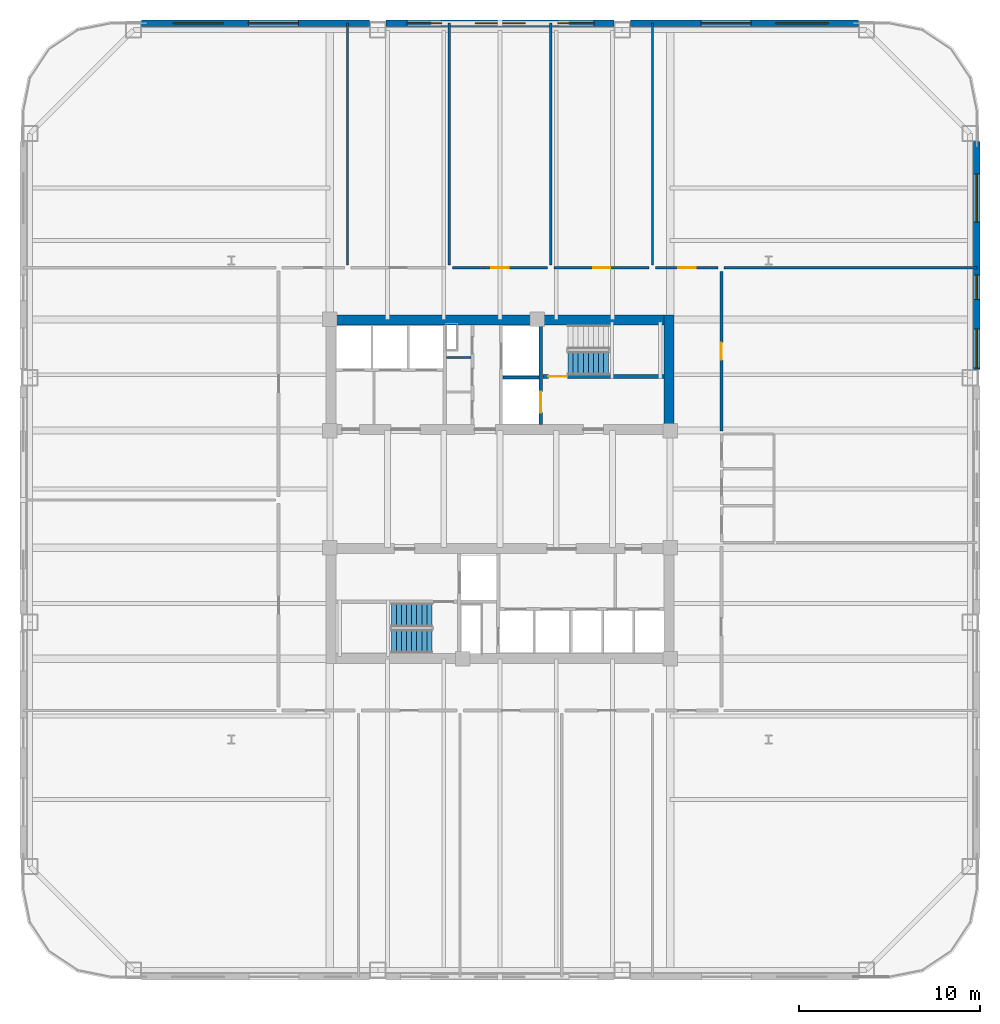
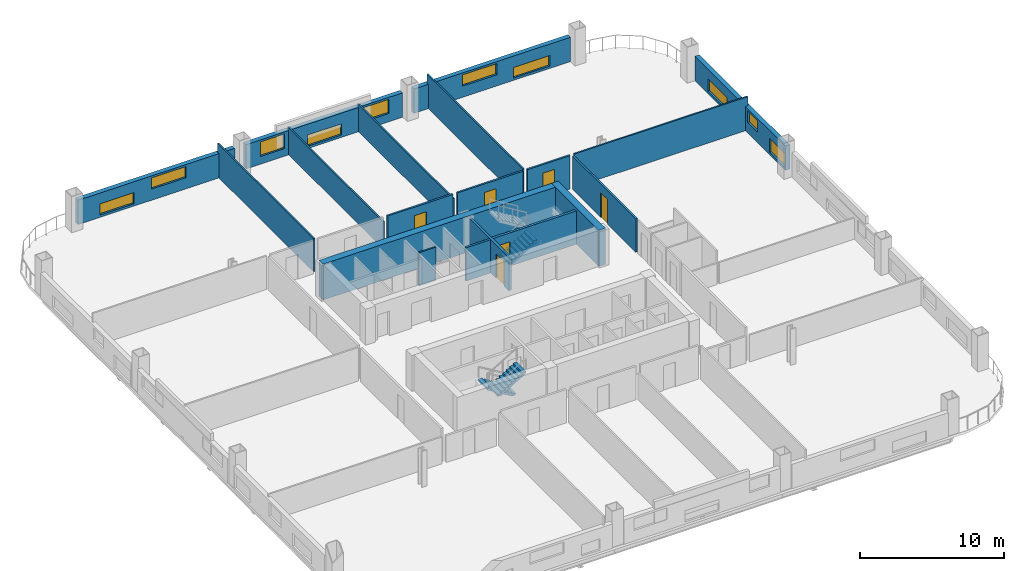
# One storey, part 5 of 12: 19 walls, 10 windows, 6 doors, 3 stair flights, 16 openings, 2 elements without a shape of their own.
"""IFC4 building model written with IfcOpenShell, lengths in metres."""

from ifc_helpers import new_model, si_unit, direction, frame, frame_2d, origin, place, context, subcontext, project, spatial, polyline, rectangle, outline, extrude, material, layer, layer_set, type_object, element, fill, aggregate, save


model = new_model("IFC4")

# Units and contexts
model_context = context("Model", 3, precision=1e-05, world=origin(), true_north=direction((0.0, 1.0)))
body_context = subcontext(model_context, "Body", "Model", "MODEL_VIEW")
ifc_project = project(units=[si_unit("LENGTHUNIT", "METRE"), si_unit("AREAUNIT", "SQUARE_METRE"), si_unit("VOLUMEUNIT", "CUBIC_METRE"), si_unit("PLANEANGLEUNIT", "RADIAN"), si_unit("MASSUNIT", "GRAM", prefix="KILO")], contexts=[model_context])

# Site, building, storey
site_placement = place(None, origin())
site = spatial("IfcSite", under=ifc_project, at=site_placement, CompositionType="ELEMENT")
building_placement = place(site_placement, origin())
building = spatial("IfcBuilding", under=site, at=building_placement, Name="Qhalaya Broadcast Tower", CompositionType="ELEMENT")
storey_placement = place(building_placement, frame((0.0, 0.0, 41.35009765625)))
storey = spatial("IfcBuildingStorey", under=building, at=storey_placement, Name="L11", CompositionType="ELEMENT", Elevation=41.35009765625)

# Wall, opening, door
ifc_material_1 = material(Name="Gypsum Acoustic Partition")
ifc_layer_1 = layer(ifc_material_1, 0.14990234375, Name="Gypsum Acoustic Partition")
ifc_layer_set_1 = layer_set([ifc_layer_1], Name="Gypsum Acoustic Partition")
wall_type_1 = type_object("IfcWallType", Name="Corridor & Tenancy Acoustic Partition 150", PredefinedType="PARTITIONING", material=ifc_layer_set_1)
wall_1_placement = place(storey_placement, frame((-2.6201171875, 12.800048828125, 0.0), z_axis=(0.0, 0.0, 1.0), x_axis=(1.0, 0.0, 0.0)))
wall_1 = element("IfcWall", 1, at=wall_1_placement, inside=storey, type_object=wall_type_1, Name="L11 Partition Wall W-COR-03", PredefinedType="PARTITIONING", context=body_context, shape_type="SweptSolid", body=[
    extrude(rectangle(XDim=5.240234375, YDim=0.14990234375, at=frame_2d((2.6201171875, 0.0))), origin(), (0.0, 0.0, 1.0), 2.829833984375),
])
opening_1_placement = place(wall_1_placement, frame((2.14501953125, 0.0, 0.0)))
opening_1 = element("IfcOpeningElement", 2, at=opening_1_placement, cuts=wall_1, Name="Opening D10", PredefinedType="OPENING", context=body_context, shape_type="SweptSolid", body=[
    extrude(rectangle(XDim=0.949951171875, YDim=2.10009765625, at=frame_2d((0.47509765625, 1.050048828125))), frame((0.0, 0.0869140625, 0.0), z_axis=(0.0, -1.0, 0.0), x_axis=(1.0, 0.0, 0.0)), (0.0, 0.0, 1.0), 0.173828125),
])
ifc_material_2 = material(Name="Timber Veneer Acoustic Door", Category="wood")
door_type_1 = type_object("IfcDoorType", Name="Cellular Office & Edit Booth Door D10", OperationType="NOTDEFINED", PredefinedType="DOOR", material=ifc_material_2)
door_1_placement = place(opening_1_placement, origin())
door_1 = element("IfcDoor", 3, at=door_1_placement, inside=storey, type_object=door_type_1, Name="L11 Door D-RM03", OperationType="SINGLE_SWING_LEFT", OverallHeight=2.10009765625, OverallWidth=0.949951171875, PredefinedType="DOOR", context=body_context, shape_type="SweptSolid", body=[
    extrude(rectangle(XDim=0.949951171875, YDim=2.10009765625, at=frame_2d((0.47509765625, 1.050048828125))), frame((0.0, 0.02490234375, 0.0), z_axis=(0.0, -1.0, 0.0), x_axis=(1.0, 0.0, 0.0)), (0.0, 0.0, 1.0), 0.050048828125),
])
fill(opening_1, door_1)

wall_2_placement = place(storey_placement, frame((2.97998046875, 12.800048828125, 0.0), z_axis=(0.0, 0.0, 1.0), x_axis=(1.0, 0.0, 0.0)))
wall_2 = element("IfcWall", 4, at=wall_2_placement, inside=storey, type_object=wall_type_1, Name="L11 Partition Wall W-COR-04", PredefinedType="PARTITIONING", context=body_context, shape_type="SweptSolid", body=[
    extrude(rectangle(XDim=5.239990234375, YDim=0.14990234375, at=frame_2d((2.6201171875, 0.0))), origin(), (0.0, 0.0, 1.0), 2.829833984375),
])
opening_2_placement = place(wall_2_placement, frame((2.14501953125, 0.0, 0.0)))
opening_2 = element("IfcOpeningElement", 5, at=opening_2_placement, cuts=wall_2, Name="Opening D10", PredefinedType="OPENING", context=body_context, shape_type="SweptSolid", body=[
    extrude(rectangle(XDim=0.949951171875, YDim=2.10009765625, at=frame_2d((0.47509765625, 1.050048828125))), frame((0.0, 0.0869140625, 0.0), z_axis=(0.0, -1.0, 0.0), x_axis=(1.0, 0.0, 0.0)), (0.0, 0.0, 1.0), 0.173828125),
])
door_2_placement = place(opening_2_placement, origin())
door_2 = element("IfcDoor", 6, at=door_2_placement, inside=storey, type_object=door_type_1, Name="L11 Door D-RM04", OperationType="SINGLE_SWING_RIGHT", OverallHeight=2.10009765625, OverallWidth=0.949951171875, PredefinedType="DOOR", context=body_context, shape_type="SweptSolid", body=[
    extrude(rectangle(XDim=0.949951171875, YDim=2.10009765625, at=frame_2d((0.47509765625, 1.050048828125))), frame((0.0, 0.02490234375, 0.0), z_axis=(0.0, -1.0, 0.0), x_axis=(1.0, 0.0, 0.0)), (0.0, 0.0, 1.0), 0.050048828125),
])
fill(opening_2, door_2)

wall_3_placement = place(storey_placement, frame((8.580078125, 12.800048828125, 0.0), z_axis=(0.0, 0.0, 1.0), x_axis=(1.0, 0.0, 0.0)))
wall_3 = element("IfcWall", 7, at=wall_3_placement, inside=storey, type_object=wall_type_1, Name="L11 Partition Wall W-COR-05", PredefinedType="PARTITIONING", context=body_context, shape_type="SweptSolid", body=[
    extrude(rectangle(XDim=3.43994140625, YDim=0.14990234375, at=frame_2d((1.719970703125, 0.0))), origin(), (0.0, 0.0, 1.0), 2.829833984375),
])
opening_3_placement = place(wall_3_placement, frame((1.2451171875, 0.0, 0.0)))
opening_3 = element("IfcOpeningElement", 8, at=opening_3_placement, cuts=wall_3, Name="Opening D10", PredefinedType="OPENING", context=body_context, shape_type="SweptSolid", body=[
    extrude(rectangle(XDim=0.949951171875, YDim=2.10009765625, at=frame_2d((0.47509765625, 1.050048828125))), frame((0.0, 0.0869140625, 0.0), z_axis=(0.0, -1.0, 0.0), x_axis=(1.0, 0.0, 0.0)), (0.0, 0.0, 1.0), 0.173828125),
])
door_3_placement = place(opening_3_placement, origin())
door_3 = element("IfcDoor", 9, at=door_3_placement, inside=storey, type_object=door_type_1, Name="L11 Door D-RM05", OperationType="SINGLE_SWING_LEFT", OverallHeight=2.10009765625, OverallWidth=0.949951171875, PredefinedType="DOOR", context=body_context, shape_type="SweptSolid", body=[
    extrude(rectangle(XDim=0.949951171875, YDim=2.10009765625, at=frame_2d((0.47509765625, 1.050048828125))), frame((0.0, 0.02490234375, 0.0), z_axis=(0.0, -1.0, 0.0), x_axis=(1.0, 0.0, 0.0)), (0.0, 0.0, 1.0), 0.050048828125),
])
fill(opening_3, door_3)

wall_4_placement = place(storey_placement, frame((12.199951171875, 3.800048828125, 0.0), z_axis=(0.0, 0.0, 1.0), x_axis=(0.0, 1.0, 0.0)))
wall_4 = element("IfcWall", 10, at=wall_4_placement, inside=storey, type_object=wall_type_1, Name="L11 Partition Wall W-COR-14", PredefinedType="PARTITIONING", context=body_context, shape_type="SweptSolid", body=[
    extrude(rectangle(XDim=8.800048828125, YDim=0.14990234375, at=frame_2d((4.39990234375, 0.0))), origin(), (0.0, 0.0, 1.0), 2.829833984375),
])
opening_4_placement = place(wall_4_placement, frame((3.925048828125, 0.0, 0.0)))
opening_4 = element("IfcOpeningElement", 11, at=opening_4_placement, cuts=wall_4, Name="Opening D10", PredefinedType="OPENING", context=body_context, shape_type="SweptSolid", body=[
    extrude(rectangle(XDim=0.949951171875, YDim=2.10009765625, at=frame_2d((0.47509765625, 1.050048828125))), frame((0.0, 0.0869140625, 0.0), z_axis=(0.0, -1.0, 0.0), x_axis=(1.0, 0.0, 0.0)), (0.0, 0.0, 1.0), 0.173828125),
])
door_4_placement = place(opening_4_placement, origin())
door_4 = element("IfcDoor", 12, at=door_4_placement, inside=storey, type_object=door_type_1, Name="L11 Door D-RM14", OperationType="SINGLE_SWING_RIGHT", OverallHeight=2.10009765625, OverallWidth=0.949951171875, PredefinedType="DOOR", context=body_context, shape_type="SweptSolid", body=[
    extrude(rectangle(XDim=0.949951171875, YDim=2.10009765625, at=frame_2d((0.47509765625, 1.050048828125))), frame((0.0, 0.02490234375, 0.0), z_axis=(0.0, -1.0, 0.0), x_axis=(1.0, 0.0, 0.0)), (0.0, 0.0, 1.0), 0.050048828125),
])
fill(opening_4, door_4)

# Wall, openings, windows
ifc_material_3 = material(Name="Precast Concrete C40/50", Category="concrete")
ifc_layer_2 = layer(ifc_material_3, 0.360107421875, Name="Precast Concrete C40/50")
ifc_layer_set_2 = layer_set([ifc_layer_2], Name="Precast Concrete C40/50")
wall_type_2 = type_object("IfcWallType", Name="Insulated Precast Terracotta Exterior Wall 360", PredefinedType="SOLIDWALL", material=ifc_layer_set_2)
wall_5_placement = place(storey_placement, frame((26.260009765625, 19.761962890625, 0.0), z_axis=(0.0, 0.0, 1.0), x_axis=(0.0, -1.0, 0.0)))
wall_5 = element("IfcWall", 13, at=wall_5_placement, inside=storey, type_object=wall_type_2, Name="L11 Exoskeleton Diagrid Infill Wall E1", PredefinedType="SOLIDWALL", context=body_context, shape_type="SweptSolid", body=[
    extrude(rectangle(XDim=12.57861328125, YDim=0.360107421875, at=frame_2d((6.289306640625, 0.0))), origin(), (0.0, 0.0, 1.0), 2.06689453125),
])
opening_5_placement = place(wall_5_placement, frame((1.800048828125, 0.0, 0.199951171875)))
opening_5 = element("IfcOpeningElement", 14, at=opening_5_placement, cuts=wall_5, Name="Opening W11", PredefinedType="OPENING", context=body_context, shape_type="SweptSolid", body=[
    extrude(rectangle(XDim=2.64990234375, YDim=1.050048828125, at=frame_2d((1.324951171875, 0.52490234375))), frame((0.0, 0.192138671875, 0.0), z_axis=(0.0, -1.0, 0.0), x_axis=(1.0, 0.0, 0.0)), (0.0, 0.0, 1.0), 0.384033203125),
])
opening_6_placement = place(wall_5_placement, frame((7.35009765625, 0.0, 0.89990234375)))
opening_6 = element("IfcOpeningElement", 15, at=opening_6_placement, cuts=wall_5, Name="Opening W11", PredefinedType="OPENING", context=body_context, shape_type="SweptSolid", body=[
    extrude(rectangle(XDim=1.35009765625, YDim=1.0, at=frame_2d((0.675048828125, 0.5))), frame((0.0, 0.192138671875, 0.0), z_axis=(0.0, -1.0, 0.0), x_axis=(1.0, 0.0, 0.0)), (0.0, 0.0, 1.0), 0.384033203125),
])
opening_7_placement = place(wall_5_placement, frame((10.35009765625, 0.0, 0.199951171875)))
opening_7 = element("IfcOpeningElement", 16, at=opening_7_placement, cuts=wall_5, Name="Opening W11", PredefinedType="OPENING", context=body_context, shape_type="SweptSolid", body=[
    extrude(rectangle(XDim=2.14990234375, YDim=1.199951171875, at=frame_2d((1.074951171875, 0.60009765625))), frame((0.0, 0.192138671875, 0.0), z_axis=(0.0, -1.0, 0.0), x_axis=(1.0, 0.0, 0.0)), (0.0, 0.0, 1.0), 0.384033203125),
])
ifc_material_4 = material(Name="Solar-Control Low-E Triple Glazing", Category="glass")
window_type = type_object("IfcWindowType", Name="Odd-Block Diagrid Infill Window W11", PartitioningType="SINGLE_PANEL", PredefinedType="WINDOW", material=ifc_material_4)
window_1_placement = place(opening_5_placement, origin())
window_1 = element("IfcWindow", 17, at=window_1_placement, inside=storey, type_object=window_type, Name="L11 Diagrid Infill Window W11-E1", OverallHeight=1.050048828125, OverallWidth=2.64990234375, PartitioningType="SINGLE_PANEL", PredefinedType="WINDOW", context=body_context, shape_type="SweptSolid", body=[
    extrude(rectangle(XDim=2.64990234375, YDim=1.050048828125, at=frame_2d((1.324951171875, 0.52490234375))), frame((0.0, 0.030029296875, 0.0), z_axis=(0.0, -1.0, 0.0), x_axis=(1.0, 0.0, 0.0)), (0.0, 0.0, 1.0), 0.06005859375),
])
fill(opening_5, window_1)
window_2_placement = place(opening_6_placement, origin())
window_2 = element("IfcWindow", 18, at=window_2_placement, inside=storey, type_object=window_type, Name="L11 Diagrid Infill Window W11-E2", OverallHeight=1.0, OverallWidth=1.35009765625, PartitioningType="SINGLE_PANEL", PredefinedType="WINDOW", context=body_context, shape_type="SweptSolid", body=[
    extrude(rectangle(XDim=1.35009765625, YDim=1.0, at=frame_2d((0.675048828125, 0.5))), frame((0.0, 0.030029296875, 0.0), z_axis=(0.0, -1.0, 0.0), x_axis=(1.0, 0.0, 0.0)), (0.0, 0.0, 1.0), 0.06005859375),
])
fill(opening_6, window_2)
window_3_placement = place(opening_7_placement, origin())
window_3 = element("IfcWindow", 19, at=window_3_placement, inside=storey, type_object=window_type, Name="L11 Diagrid Infill Window W11-E3", OverallHeight=1.199951171875, OverallWidth=2.14990234375, PartitioningType="SINGLE_PANEL", PredefinedType="WINDOW", context=body_context, shape_type="SweptSolid", body=[
    extrude(rectangle(XDim=2.14990234375, YDim=1.199951171875, at=frame_2d((1.074951171875, 0.60009765625))), frame((0.0, 0.030029296875, 0.0), z_axis=(0.0, -1.0, 0.0), x_axis=(1.0, 0.0, 0.0)), (0.0, 0.0, 1.0), 0.06005859375),
])
fill(opening_7, window_3)

wall_6_placement = place(storey_placement, frame((-19.761962890625, 26.260009765625, 0.0), z_axis=(0.0, 0.0, 1.0), x_axis=(1.0, 0.0, 0.0)))
wall_6 = element("IfcWall", 20, at=wall_6_placement, inside=storey, type_object=wall_type_2, Name="L11 Exoskeleton Diagrid Infill Wall N1", PredefinedType="SOLIDWALL", context=body_context, shape_type="SweptSolid", body=[
    extrude(rectangle(XDim=12.57861328125, YDim=0.360107421875, at=frame_2d((6.289306640625, 0.0))), origin(), (0.0, 0.0, 1.0), 2.06689453125),
])
opening_8_placement = place(wall_6_placement, frame((1.75, 0.0, 0.199951171875)))
opening_8 = element("IfcOpeningElement", 21, at=opening_8_placement, cuts=wall_6, Name="Opening W11", PredefinedType="OPENING", context=body_context, shape_type="SweptSolid", body=[
    extrude(rectangle(XDim=2.75, YDim=0.949951171875, at=frame_2d((1.375, 0.47509765625))), frame((0.0, 0.192138671875, 0.0), z_axis=(0.0, -1.0, 0.0), x_axis=(1.0, 0.0, 0.0)), (0.0, 0.0, 1.0), 0.384033203125),
])
opening_9_placement = place(wall_6_placement, frame((5.89990234375, 0.0, 0.949951171875)))
opening_9 = element("IfcOpeningElement", 22, at=opening_9_placement, cuts=wall_6, Name="Opening W11", PredefinedType="OPENING", context=body_context, shape_type="SweptSolid", body=[
    extrude(rectangle(XDim=2.75, YDim=0.949951171875, at=frame_2d((1.375, 0.47509765625))), frame((0.0, 0.192138671875, 0.0), z_axis=(0.0, -1.0, 0.0), x_axis=(1.0, 0.0, 0.0)), (0.0, 0.0, 1.0), 0.384033203125),
])
window_4_placement = place(opening_8_placement, origin())
window_4 = element("IfcWindow", 23, at=window_4_placement, inside=storey, type_object=window_type, Name="L11 Diagrid Infill Window W11-N1", OverallHeight=0.949951171875, OverallWidth=2.75, PartitioningType="SINGLE_PANEL", PredefinedType="WINDOW", context=body_context, shape_type="SweptSolid", body=[
    extrude(rectangle(XDim=2.75, YDim=0.949951171875, at=frame_2d((1.375, 0.47509765625))), frame((0.0, 0.030029296875, 0.0), z_axis=(0.0, -1.0, 0.0), x_axis=(1.0, 0.0, 0.0)), (0.0, 0.0, 1.0), 0.06005859375),
])
fill(opening_8, window_4)
window_5_placement = place(opening_9_placement, origin())
window_5 = element("IfcWindow", 24, at=window_5_placement, inside=storey, type_object=window_type, Name="L11 Diagrid Infill Window W11-N2", OverallHeight=0.949951171875, OverallWidth=2.75, PartitioningType="SINGLE_PANEL", PredefinedType="WINDOW", context=body_context, shape_type="SweptSolid", body=[
    extrude(rectangle(XDim=2.75, YDim=0.949951171875, at=frame_2d((1.375, 0.47509765625))), frame((0.0, 0.030029296875, 0.0), z_axis=(0.0, -1.0, 0.0), x_axis=(1.0, 0.0, 0.0)), (0.0, 0.0, 1.0), 0.06005859375),
])
fill(opening_9, window_5)

wall_7_placement = place(storey_placement, frame((-6.283203125, 26.260009765625, 0.0), z_axis=(0.0, 0.0, 1.0), x_axis=(1.0, 0.0, 0.0)))
wall_7 = element("IfcWall", 25, at=wall_7_placement, inside=storey, type_object=wall_type_2, Name="L11 Exoskeleton Diagrid Infill Wall N2", PredefinedType="SOLIDWALL", context=body_context, shape_type="SweptSolid", body=[
    extrude(rectangle(XDim=12.56640625, YDim=0.360107421875, at=frame_2d((6.283203125, 0.0))), origin(), (0.0, 0.0, 1.0), 2.06689453125),
])
opening_10_placement = place(wall_7_placement, frame((1.1708984375, 0.0, 0.64990234375)))
opening_10 = element("IfcOpeningElement", 26, at=opening_10_placement, cuts=wall_7, Name="Opening W11", PredefinedType="OPENING", context=body_context, shape_type="SweptSolid", body=[
    extrude(rectangle(XDim=1.89990234375, YDim=1.25, at=frame_2d((0.949951171875, 0.625))), frame((0.0, 0.192138671875, 0.0), z_axis=(0.0, -1.0, 0.0), x_axis=(1.0, 0.0, 0.0)), (0.0, 0.0, 1.0), 0.384033203125),
])
opening_11_placement = place(wall_7_placement, frame((4.9208984375, 0.0, 0.199951171875)))
opening_11 = element("IfcOpeningElement", 27, at=opening_11_placement, cuts=wall_7, Name="Opening W11", PredefinedType="OPENING", context=body_context, shape_type="SweptSolid", body=[
    extrude(rectangle(XDim=2.75, YDim=0.949951171875, at=frame_2d((1.375, 0.47509765625))), frame((0.0, 0.192138671875, 0.0), z_axis=(0.0, -1.0, 0.0), x_axis=(1.0, 0.0, 0.0)), (0.0, 0.0, 1.0), 0.384033203125),
])
opening_12_placement = place(wall_7_placement, frame((9.470947265625, 0.0, 0.699951171875)))
opening_12 = element("IfcOpeningElement", 28, at=opening_12_placement, cuts=wall_7, Name="Opening W11", PredefinedType="OPENING", context=body_context, shape_type="SweptSolid", body=[
    extrude(rectangle(XDim=2.0, YDim=1.199951171875, at=frame_2d((1.0, 0.60009765625))), frame((0.0, 0.192138671875, 0.0), z_axis=(0.0, -1.0, 0.0), x_axis=(1.0, 0.0, 0.0)), (0.0, 0.0, 1.0), 0.384033203125),
])
window_6_placement = place(opening_10_placement, origin())
window_6 = element("IfcWindow", 29, at=window_6_placement, inside=storey, type_object=window_type, Name="L11 Diagrid Infill Window W11-N3", OverallHeight=1.25, OverallWidth=1.89990234375, PartitioningType="SINGLE_PANEL", PredefinedType="WINDOW", context=body_context, shape_type="SweptSolid", body=[
    extrude(rectangle(XDim=1.89990234375, YDim=1.25, at=frame_2d((0.949951171875, 0.625))), frame((0.0, 0.030029296875, 0.0), z_axis=(0.0, -1.0, 0.0), x_axis=(1.0, 0.0, 0.0)), (0.0, 0.0, 1.0), 0.06005859375),
])
fill(opening_10, window_6)
window_7_placement = place(opening_11_placement, origin())
window_7 = element("IfcWindow", 30, at=window_7_placement, inside=storey, type_object=window_type, Name="L11 Diagrid Infill Window W11-N4", OverallHeight=0.949951171875, OverallWidth=2.75, PartitioningType="SINGLE_PANEL", PredefinedType="WINDOW", context=body_context, shape_type="SweptSolid", body=[
    extrude(rectangle(XDim=2.75, YDim=0.949951171875, at=frame_2d((1.375, 0.47509765625))), frame((0.0, 0.030029296875, 0.0), z_axis=(0.0, -1.0, 0.0), x_axis=(1.0, 0.0, 0.0)), (0.0, 0.0, 1.0), 0.06005859375),
])
fill(opening_11, window_7)
window_8_placement = place(opening_12_placement, origin())
window_8 = element("IfcWindow", 31, at=window_8_placement, inside=storey, type_object=window_type, Name="L11 Diagrid Infill Window W11-N5", OverallHeight=1.199951171875, OverallWidth=2.0, PartitioningType="SINGLE_PANEL", PredefinedType="WINDOW", context=body_context, shape_type="SweptSolid", body=[
    extrude(rectangle(XDim=2.0, YDim=1.199951171875, at=frame_2d((1.0, 0.60009765625))), frame((0.0, 0.030029296875, 0.0), z_axis=(0.0, -1.0, 0.0), x_axis=(1.0, 0.0, 0.0)), (0.0, 0.0, 1.0), 0.06005859375),
])
fill(opening_12, window_8)

wall_8_placement = place(storey_placement, frame((7.183349609375, 26.260009765625, 0.0), z_axis=(0.0, 0.0, 1.0), x_axis=(1.0, 0.0, 0.0)))
wall_8 = element("IfcWall", 32, at=wall_8_placement, inside=storey, type_object=wall_type_2, Name="L11 Exoskeleton Diagrid Infill Wall N3", PredefinedType="SOLIDWALL", context=body_context, shape_type="SweptSolid", body=[
    extrude(rectangle(XDim=12.57861328125, YDim=0.360107421875, at=frame_2d((6.289306640625, 0.0))), origin(), (0.0, 0.0, 1.0), 2.06689453125),
])
opening_13_placement = place(wall_8_placement, frame((3.905029296875, 0.0, 0.949951171875)))
opening_13 = element("IfcOpeningElement", 33, at=opening_13_placement, cuts=wall_8, Name="Opening W11", PredefinedType="OPENING", context=body_context, shape_type="SweptSolid", body=[
    extrude(rectangle(XDim=2.75, YDim=0.949951171875, at=frame_2d((1.375, 0.47509765625))), frame((0.0, 0.192138671875, 0.0), z_axis=(0.0, -1.0, 0.0), x_axis=(1.0, 0.0, 0.0)), (0.0, 0.0, 1.0), 0.384033203125),
])
opening_14_placement = place(wall_8_placement, frame((8.0048828125, 0.0, 0.199951171875)))
opening_14 = element("IfcOpeningElement", 34, at=opening_14_placement, cuts=wall_8, Name="Opening W11", PredefinedType="OPENING", context=body_context, shape_type="SweptSolid", body=[
    extrude(rectangle(XDim=2.89990234375, YDim=0.89990234375, at=frame_2d((1.449951171875, 0.449951171875))), frame((0.0, 0.192138671875, 0.0), z_axis=(0.0, -1.0, 0.0), x_axis=(1.0, 0.0, 0.0)), (0.0, 0.0, 1.0), 0.384033203125),
])
window_9_placement = place(opening_13_placement, origin())
window_9 = element("IfcWindow", 35, at=window_9_placement, inside=storey, type_object=window_type, Name="L11 Diagrid Infill Window W11-N6", OverallHeight=0.949951171875, OverallWidth=2.75, PartitioningType="SINGLE_PANEL", PredefinedType="WINDOW", context=body_context, shape_type="SweptSolid", body=[
    extrude(rectangle(XDim=2.75, YDim=0.949951171875, at=frame_2d((1.375, 0.47509765625))), frame((0.0, 0.030029296875, 0.0), z_axis=(0.0, -1.0, 0.0), x_axis=(1.0, 0.0, 0.0)), (0.0, 0.0, 1.0), 0.06005859375),
])
fill(opening_13, window_9)
window_10_placement = place(opening_14_placement, origin())
window_10 = element("IfcWindow", 36, at=window_10_placement, inside=storey, type_object=window_type, Name="L11 Diagrid Infill Window W11-N7", OverallHeight=0.89990234375, OverallWidth=2.89990234375, PartitioningType="SINGLE_PANEL", PredefinedType="WINDOW", context=body_context, shape_type="SweptSolid", body=[
    extrude(rectangle(XDim=2.89990234375, YDim=0.89990234375, at=frame_2d((1.449951171875, 0.449951171875))), frame((0.0, 0.030029296875, 0.0), z_axis=(0.0, -1.0, 0.0), x_axis=(1.0, 0.0, 0.0)), (0.0, 0.0, 1.0), 0.06005859375),
])
fill(opening_14, window_10)

# Wall, opening, door
ifc_material_5 = material(Name="Concrete C50/60", Category="concrete")
ifc_layer_3 = layer(ifc_material_5, 0.199951171875, Name="Concrete C50/60")
ifc_layer_set_3 = layer_set([ifc_layer_3], Name="Concrete C50/60")
wall_type_3 = type_object("IfcWallType", Name="Load-Bearing Stair Shaft Wall 200", PredefinedType="SHEAR", material=ifc_layer_set_3)
wall_9_placement = place(storey_placement, frame((2.360107421875, 6.804931640625, 0.0), z_axis=(0.0, 0.0, 1.0), x_axis=(1.0, 0.0, 0.0)))
wall_9 = element("IfcWall", 37, at=wall_9_placement, inside=storey, type_object=wall_type_3, Name="L11 Stair Core Shear Wall NCW-ST1", PredefinedType="SHEAR", context=body_context, shape_type="SweptSolid", body=[
    extrude(rectangle(XDim=6.669921875, YDim=0.199951171875, at=frame_2d((3.3349609375, 0.0))), origin(), (0.0, 0.0, 1.0), 2.829833984375),
])
opening_15_placement = place(wall_9_placement, frame((0.300048828125, 0.0, 0.0)))
opening_15 = element("IfcOpeningElement", 38, at=opening_15_placement, cuts=wall_9, Name="Opening D03", PredefinedType="OPENING", context=body_context, shape_type="SweptSolid", body=[
    extrude(rectangle(XDim=1.050048828125, YDim=2.080078125, at=frame_2d((0.52490234375, 1.0400390625))), frame((0.0, 0.112060546875, 0.0), z_axis=(0.0, -1.0, 0.0), x_axis=(1.0, 0.0, 0.0)), (0.0, 0.0, 1.0), 0.223876953125),
])
ifc_material_6 = material(Name="Fire-Rated Steel Door", Category="steel")
door_type_2 = type_object("IfcDoorType", Name="Core Stair Protected Fire Door D03", OperationType="NOTDEFINED", PredefinedType="DOOR", material=ifc_material_6)
door_5_placement = place(opening_15_placement, origin())
door_5 = element("IfcDoor", 39, at=door_5_placement, inside=storey, type_object=door_type_2, Name="L11 Door D-NST1", OperationType="SINGLE_SWING_LEFT", OverallHeight=2.080078125, OverallWidth=1.050048828125, PredefinedType="DOOR", context=body_context, shape_type="SweptSolid", body=[
    extrude(rectangle(XDim=1.050048828125, YDim=2.080078125, at=frame_2d((0.52490234375, 1.0400390625))), frame((0.0, 0.02490234375, 0.0), z_axis=(0.0, -1.0, 0.0), x_axis=(1.0, 0.0, 0.0)), (0.0, 0.0, 1.0), 0.050048828125),
])
fill(opening_15, door_5)

wall_10_placement = place(storey_placement, frame((2.25, 4.169921875, 0.0), z_axis=(0.0, 0.0, 1.0), x_axis=(0.0, 1.0, 0.0)))
wall_10 = element("IfcWall", 40, at=wall_10_placement, inside=storey, type_object=wall_type_3, Name="L11 Stair Core Shear Wall NCW-FF", PredefinedType="SHEAR", context=body_context, shape_type="SweptSolid", body=[
    extrude(rectangle(XDim=5.4599609375, YDim=0.199951171875, at=frame_2d((2.72998046875, 0.0))), origin(), (0.0, 0.0, 1.0), 2.829833984375),
])
opening_16_placement = place(wall_10_placement, frame((0.64990234375, 0.0, 0.0)))
opening_16 = element("IfcOpeningElement", 41, at=opening_16_placement, cuts=wall_10, Name="Opening LD2", PredefinedType="OPENING", context=body_context, shape_type="SweptSolid", body=[
    extrude(rectangle(XDim=1.14990234375, YDim=2.080078125, at=frame_2d((0.574951171875, 1.0400390625))), frame((0.0, 0.112060546875, 0.0), z_axis=(0.0, -1.0, 0.0), x_axis=(1.0, 0.0, 0.0)), (0.0, 0.0, 1.0), 0.223876953125),
])
ifc_material_7 = material(Name="Brushed Stainless Steel Lift Door", Category="steel")
door_type_3 = type_object("IfcDoorType", Name="Firefighting Lift Sliding Landing Door LD2", OperationType="DOUBLE_DOOR_SLIDING", PredefinedType="DOOR", material=ifc_material_7)
door_6_placement = place(opening_16_placement, origin())
door_6 = element("IfcDoor", 42, at=door_6_placement, inside=storey, type_object=door_type_3, Name="L11 Door LD-FF1", OperationType="DOUBLE_DOOR_SLIDING", OverallHeight=2.080078125, OverallWidth=1.14990234375, PredefinedType="DOOR", context=body_context, shape_type="SweptSolid", body=[
    extrude(rectangle(XDim=1.14990234375, YDim=2.080078125, at=frame_2d((0.574951171875, 1.0400390625))), frame((0.0, 0.02490234375, 0.0), z_axis=(0.0, -1.0, 0.0), x_axis=(1.0, 0.0, 0.0)), (0.0, 0.0, 1.0), 0.050048828125),
])
fill(opening_16, door_6)

# Walls
ifc_material_8 = material(Name="Concrete C60/75", Category="concrete")
ifc_layer_4 = layer(ifc_material_8, 0.550048828125, Name="Concrete C60/75")
ifc_layer_set_4 = layer_set([ifc_layer_4], Name="Concrete C60/75")
wall_type_4 = type_object("IfcWallType", Name="Lower Split-Core Shear Wall 550", PredefinedType="SHEAR", material=ifc_layer_set_4)
wall_11_placement = place(storey_placement, frame((-9.60009765625, 9.925048828125, 0.0), z_axis=(0.0, 0.0, 1.0), x_axis=(1.0, 0.0, 0.0)))
element("IfcWall", 43, at=wall_11_placement, inside=storey, type_object=wall_type_4, Name="L11 Split-Core Shear Wall CW-NN", PredefinedType="SHEAR", context=body_context, shape_type="SweptSolid", body=[
    extrude(rectangle(XDim=19.2001953125, YDim=0.550048828125, at=frame_2d((9.60009765625, 0.0))), origin(), (0.0, 0.0, 1.0), 3.0498046875),
])
wall_12_placement = place(storey_placement, frame((9.324951171875, 3.60009765625, 0.0), z_axis=(0.0, 0.0, 1.0), x_axis=(0.0, 1.0, 0.0)))
element("IfcWall", 44, at=wall_12_placement, inside=storey, type_object=wall_type_4, Name="L11 Split-Core Shear Wall CW-NE", PredefinedType="SHEAR", context=body_context, shape_type="SweptSolid", body=[
    extrude(rectangle(XDim=6.599853515625, YDim=0.550048828125, at=frame_2d((3.2998046875, 0.0))), origin(), (0.0, 0.0, 1.0), 3.0498046875),
])
ifc_layer_5 = layer(ifc_material_1, 0.1201171875, Name="Gypsum Acoustic Partition")
ifc_layer_set_5 = layer_set([ifc_layer_5], Name="Gypsum Acoustic Partition")
wall_type_5 = type_object("IfcWallType", Name="Office, Booth & Sanitary Partition 120", PredefinedType="PARTITIONING", material=ifc_layer_set_5)
wall_13_placement = place(storey_placement, frame((-2.9599609375, 7.85009765625, 0.0), z_axis=(0.0, 0.0, 1.0), x_axis=(1.0, 0.0, 0.0)))
element("IfcWall", 45, at=wall_13_placement, inside=storey, type_object=wall_type_5, Name="L11 Partition Wall NCW-VB2", PredefinedType="PARTITIONING", context=body_context, shape_type="SweptSolid", body=[
    extrude(rectangle(XDim=1.35986328125, YDim=0.1201171875, at=frame_2d((0.679931640625, 0.0))), origin(), (0.0, 0.0, 1.0), 2.829833984375),
])
wall_14_placement = place(storey_placement, frame((12.340087890625, 12.800048828125, 0.0), z_axis=(0.0, 0.0, 1.0), x_axis=(1.0, 0.0, 0.0)))
element("IfcWall", 46, at=wall_14_placement, inside=storey, type_object=wall_type_5, Name="L11 Partition Wall W-BNDE1", PredefinedType="PARTITIONING", context=body_context, shape_type="SweptSolid", body=[
    extrude(rectangle(XDim=13.93994140625, YDim=0.1201171875, at=frame_2d((6.969970703125, 0.0))), origin(), (0.0, 0.0, 1.0), 2.829833984375),
])
wall_15_placement = place(storey_placement, frame((-8.39990234375, 12.9599609375, 0.0), z_axis=(0.0, 0.0, 1.0), x_axis=(0.0, 1.0, 0.0)))
element("IfcWall", 47, at=wall_15_placement, inside=storey, type_object=wall_type_5, Name="L11 Partition Wall W-DIVN1", PredefinedType="PARTITIONING", context=body_context, shape_type="SweptSolid", body=[
    extrude(rectangle(XDim=13.320068359375, YDim=0.1201171875, at=frame_2d((6.66015625, 0.0))), origin(), (0.0, 0.0, 1.0), 2.829833984375),
])
for number, where, z_axis, x_axis, name in (
    (48, (-2.800048828125, 12.9599609375, 0.0), (0.0, 0.0, 1.0), (0.0, 1.0, 0.0), "L11 Partition Wall W-DIVN2"),
    (49, (2.800048828125, 12.9599609375, 0.0), (0.0, 0.0, 1.0), (0.0, 1.0, 0.0), "L11 Partition Wall W-DIVN3"),
):
    element("IfcWall", number, at=place(storey_placement, frame(where, z_axis=z_axis, x_axis=x_axis)), inside=storey, type_object=wall_type_5, Name=name, PredefinedType="PARTITIONING", context=body_context, shape_type="SweptSolid", body=[
        extrude(rectangle(XDim=13.320068359375, YDim=0.1201171875, at=frame_2d((6.66015625, 0.0))), origin(), (0.0, 0.0, 1.0), 2.27392578125),
    ])
wall_16_placement = place(storey_placement, frame((8.39990234375, 12.9599609375, 0.0), z_axis=(0.0, 0.0, 1.0), x_axis=(0.0, 1.0, 0.0)))
element("IfcWall", 50, at=wall_16_placement, inside=storey, type_object=wall_type_5, Name="L11 Partition Wall W-DIVN4", PredefinedType="PARTITIONING", context=body_context, shape_type="SweptSolid", body=[
    extrude(rectangle(XDim=13.320068359375, YDim=0.1201171875, at=frame_2d((6.66015625, 0.0))), origin(), (0.0, 0.0, 1.0), 2.829833984375),
])
ifc_layer_6 = layer(ifc_material_1, 0.175048828125, Name="Gypsum Acoustic Partition")
ifc_layer_set_6 = layer_set([ifc_layer_6], Name="Gypsum Acoustic Partition")
wall_type_6 = type_object("IfcWallType", Name="Shaft & Riser Fire Partition 175", PredefinedType="PARTITIONING", material=ifc_layer_set_6)
wall_17_placement = place(storey_placement, frame((0.159912109375, 6.75, 0.0), z_axis=(0.0, 0.0, 1.0), x_axis=(1.0, 0.0, 0.0)))
element("IfcWall", 51, at=wall_17_placement, inside=storey, type_object=wall_type_6, Name="L11 Partition Wall NCW-SVM", PredefinedType="PARTITIONING", context=body_context, shape_type="SweptSolid", body=[
    extrude(rectangle(XDim=1.97998046875, YDim=0.175048828125, at=frame_2d((0.989990234375, 0.0))), origin(), (0.0, 0.0, 1.0), 2.829833984375),
])

# Stair, stair flight
ifc_material_9 = material(Name="Concrete C40/50", Category="concrete")
stair_type = type_object("IfcStairType", Name="Protected Dogleg Core Stair 3150", PredefinedType="TWO_STRAIGHT_RUN_STAIR", material=ifc_material_9)
stair_1_placement = place(storey_placement, origin())
stair_1 = element("IfcStair", 52, at=stair_1_placement, inside=storey, type_object=stair_type, Name="L11 North Core Exit Stair ST-1", PredefinedType="TWO_STRAIGHT_RUN_STAIR")
stair_flight_type = type_object("IfcStairFlightType", Name="Precast Concrete Stair Flight 3150", PredefinedType="STRAIGHT", material=ifc_material_3)
stair_flight_1_placement = place(storey_placement, frame((3.75, 7.5400390625, 0.0), z_axis=(0.0, 0.0, 1.0), x_axis=(1.0, 0.0, 0.0)))
stair_flight_1 = element("IfcStairFlight", 53, at=stair_flight_1_placement, type_object=stair_flight_type, Name="ST-1 flight 1", NumberOfRisers=9, NumberOfTreads=8, PredefinedType="STRAIGHT", RiserHeight=0.169444444, TreadLength=0.28, context=body_context, shape_type="SweptSolid", body=[
    extrude(outline(polyline([(0.0, 0.0), (0.0, 0.16943359375), (0.280029296875, 0.16943359375), (0.280029296875, 0.3388671875), (0.56005859375, 0.3388671875), (0.56005859375, 0.50830078125), (0.840087890625, 0.50830078125), (0.840087890625, 0.677734375), (1.1201171875, 0.677734375), (1.1201171875, 0.84716796875), (1.39990234375, 0.84716796875), (1.39990234375, 1.0166015625), (1.679931640625, 1.0166015625), (1.679931640625, 1.18603515625), (1.9599609375, 1.18603515625), (1.9599609375, 1.35546875), (2.239990234375, 1.35546875), (2.239990234375, 1.52490234375), (2.239990234375, 1.180419921875), (0.28955078125, 0.0), (0.0, 0.0)])), frame((0.0, 0.66015625, 0.0), z_axis=(0.0, -1.0, 0.0), x_axis=(1.0, 0.0, 0.0)), (0.0, 0.0, 1.0), 1.320068359375),
])
aggregate(stair_1, [stair_flight_1])

# Stair, stair flights
stair_2_placement = place(storey_placement, origin())
stair_2 = element("IfcStair", 54, at=stair_2_placement, inside=storey, type_object=stair_type, Name="L11 South Core Exit Stair ST-2", PredefinedType="TWO_STRAIGHT_RUN_STAIR")
stair_flight_2_placement = place(storey_placement, frame((-3.75, -6.340087890625, 0.0), z_axis=(0.0, 0.0, 1.0), x_axis=(-1.0, 0.0, 0.0)))
stair_flight_2 = element("IfcStairFlight", 55, at=stair_flight_2_placement, type_object=stair_flight_type, Name="ST-2 flight 1", NumberOfRisers=9, NumberOfTreads=8, PredefinedType="STRAIGHT", RiserHeight=0.169444444, TreadLength=0.28, context=body_context, shape_type="SweptSolid", body=[
    extrude(outline(polyline([(0.0, 0.0), (0.0, 0.16943359375), (0.280029296875, 0.16943359375), (0.280029296875, 0.3388671875), (0.56005859375, 0.3388671875), (0.56005859375, 0.50830078125), (0.840087890625, 0.50830078125), (0.840087890625, 0.677734375), (1.1201171875, 0.677734375), (1.1201171875, 0.84716796875), (1.39990234375, 0.84716796875), (1.39990234375, 1.0166015625), (1.679931640625, 1.0166015625), (1.679931640625, 1.18603515625), (1.9599609375, 1.18603515625), (1.9599609375, 1.35546875), (2.239990234375, 1.35546875), (2.239990234375, 1.52490234375), (2.239990234375, 1.180419921875), (0.28955078125, 0.0), (0.0, 0.0)])), frame((0.0, 0.66015625, 0.0), z_axis=(0.0, -1.0, 0.0), x_axis=(1.0, 0.0, 0.0)), (0.0, 0.0, 1.0), 1.320068359375),
])
stair_flight_3_placement = place(storey_placement, frame((-5.989990234375, -7.780029296875, 1.52490234375), z_axis=(0.0, 0.0, 1.0), x_axis=(1.0, 0.0, 0.0)))
stair_flight_3 = element("IfcStairFlight", 56, at=stair_flight_3_placement, type_object=stair_flight_type, Name="ST-2 flight 2", NumberOfRisers=9, NumberOfTreads=8, PredefinedType="STRAIGHT", RiserHeight=0.169444444, TreadLength=0.28, context=body_context, shape_type="SweptSolid", body=[
    extrude(outline(polyline([(0.0, 0.0), (0.0, 0.16943359375), (0.280029296875, 0.16943359375), (0.280029296875, 0.3388671875), (0.56005859375, 0.3388671875), (0.56005859375, 0.50830078125), (0.840087890625, 0.50830078125), (0.840087890625, 0.677734375), (1.1201171875, 0.677734375), (1.1201171875, 0.84716796875), (1.39990234375, 0.84716796875), (1.39990234375, 1.0166015625), (1.679931640625, 1.0166015625), (1.679931640625, 1.18603515625), (1.9599609375, 1.18603515625), (1.9599609375, 1.35546875), (2.239990234375, 1.35546875), (2.239990234375, 1.52490234375), (2.239990234375, 1.180419921875), (0.28955078125, 0.0), (0.0, 0.0)])), frame((0.0, 0.66015625, 0.0), z_axis=(0.0, -1.0, 0.0), x_axis=(1.0, 0.0, 0.0)), (0.0, 0.0, 1.0), 1.320068359375),
])
aggregate(stair_2, [stair_flight_2, stair_flight_3])

save(model, "model.ifc")
